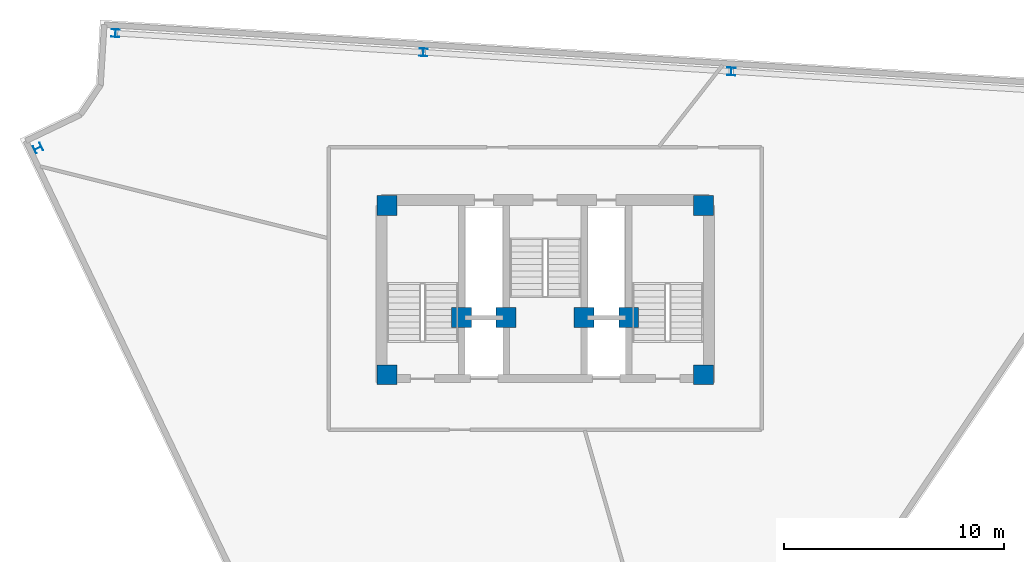
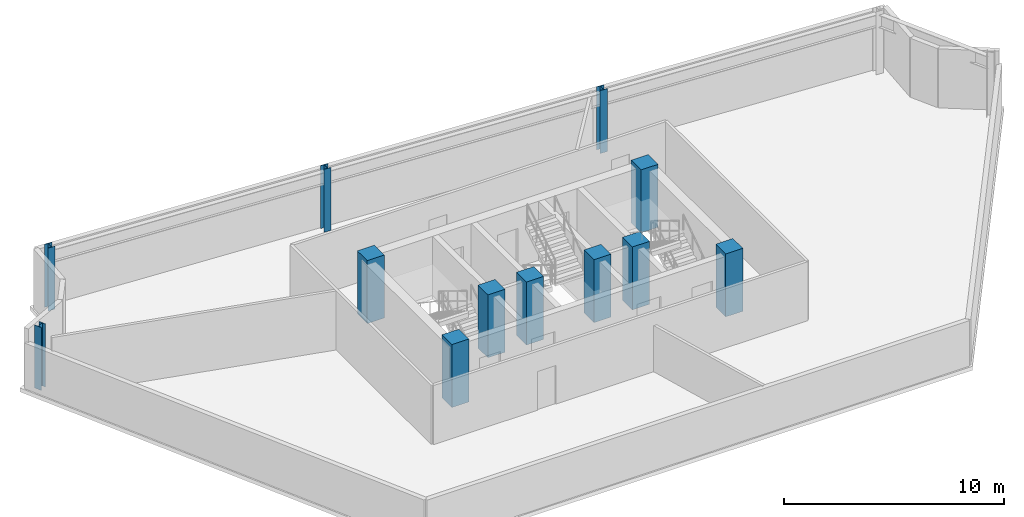
# One storey, part 1 of 5: 12 columns.
"""IFC4 building model written with IfcOpenShell, lengths in metres."""

from ifc_helpers import new_model, si_unit, direction, frame, origin, origin_2d, place, context, subcontext, project, spatial, rectangle, i_section, extrude, material, material_profile, profile_set, type_object, element, save


model = new_model("IFC4")

# Units and contexts
model_context = context("Model", 3, precision=1e-05, world=origin(), true_north=direction((0.0, 1.0)))
body_context = subcontext(model_context, "Body", "Model", "MODEL_VIEW")
ifc_project = project(units=[si_unit("LENGTHUNIT", "METRE"), si_unit("AREAUNIT", "SQUARE_METRE"), si_unit("VOLUMEUNIT", "CUBIC_METRE"), si_unit("PLANEANGLEUNIT", "RADIAN"), si_unit("MASSUNIT", "GRAM", prefix="KILO")], contexts=[model_context])

# Site, building, storey
site_placement = place(None, origin())
site = spatial("IfcSite", under=ifc_project, at=site_placement, CompositionType="ELEMENT")
building_placement = place(site_placement, origin())
building = spatial("IfcBuilding", under=site, at=building_placement, Name="Apsidion Concourse Tower", CompositionType="ELEMENT")
storey_placement = place(building_placement, frame((0.0, 0.0, 343.0)))
storey = spatial("IfcBuildingStorey", under=building, at=storey_placement, Name="L81", CompositionType="ELEMENT", Elevation=343.0)

# Columns
ifc_material_1 = material(Name="Concrete C50/60", Category="concrete")
ifc_material_profile_1 = material_profile(ifc_material_1, rectangle(XDim=0.89990234375, YDim=0.89990234375, at=origin_2d()), Name="RC 900x900")
ifc_profile_set_1 = profile_set([ifc_material_profile_1], Name="Concrete C50/60")
column_type_1 = type_object("IfcColumnType", Name="COL-RC-900", PredefinedType="COLUMN", material=ifc_profile_set_1)
for number, where, z_axis, x_axis, name in (
    (1, (7.199951171875, 1.449951171875, 0.0), (0.0, 0.0, 1.0), (1.0, 0.0, 0.0), "L81 Core Super-Column SC3"),
    (2, (7.199951171875, 9.14990234375, 0.0), (0.0, 0.0, 1.0), (1.0, 0.0, 0.0), "L81 Core Super-Column SC4"),
    (3, (-7.199951171875, 9.14990234375, 0.0), (0.0, 0.0, 1.0), (1.0, 0.0, 0.0), "L81 Core Super-Column SC5"),
    (4, (-7.199951171875, 1.449951171875, 0.0), (0.0, 0.0, 1.0), (1.0, 0.0, 0.0), "L81 Core Super-Column SC6"),
    (5, (-3.800048828125, 4.050048828125, 0.0), (0.0, 0.0, 1.0), (1.0, 0.0, 0.0), "L81 Core Super-Column CC1"),
    (6, (3.800048828125, 4.050048828125, 0.0), (0.0, 0.0, 1.0), (1.0, 0.0, 0.0), "L81 Core Super-Column CC2"),
    (7, (-1.77490234375, 4.050048828125, 0.0), (0.0, 0.0, 1.0), (1.0, 0.0, 0.0), "L81 Core Super-Column CC3"),
    (8, (1.77490234375, 4.050048828125, 0.0), (0.0, 0.0, 1.0), (1.0, 0.0, 0.0), "L81 Core Super-Column CC4"),
):
    element("IfcColumn", number, at=place(storey_placement, frame(where, z_axis=z_axis, x_axis=x_axis)), inside=storey, type_object=column_type_1, Name=name, PredefinedType="COLUMN", context=body_context, shape_type="SweptSolid", body=[
        extrude(rectangle(XDim=0.89990234375, YDim=0.89990234375, at=origin_2d()), origin(), (0.0, 0.0, 1.0), 3.5),
    ])
ifc_material_2 = material(Name="Structural steel ASTM A992 Grade 50", Category="steel")
ifc_material_profile_2 = material_profile(ifc_material_2, i_section(OverallWidth=0.367919921875, OverallDepth=0.35595703125, WebThickness=0.01123046875, FlangeThickness=0.01806640625, at=origin_2d()), Name="W14X90")
ifc_profile_set_2 = profile_set([ifc_material_profile_2], Name="Structural steel ASTM A992 Grade 50")
column_type_2 = type_object("IfcColumnType", Name="COL-W14-90", PredefinedType="COLUMN", material=ifc_profile_set_2)
for number, where, z_axis, x_axis, name in (
    (9, (-23.0732421875, 11.758544921875, 0.0), (0.0, 0.0, 1.0), (-0.431298587031, 0.902209248913, 0.0), "L81 Rotated Perimeter Column PC01"),
    (10, (8.469482421875, 15.24853515625, 0.0), (0.0, 0.0, 1.0), (-0.998081143466, 0.061919553109, 0.0), "L81 Rotated Perimeter Column PC10"),
    (11, (-5.5380859375, 16.118408203125, 0.0), (0.0, 0.0, 1.0), (-0.998081143466, 0.061919553109, 0.0), "L81 Rotated Perimeter Column PC11"),
    (12, (-19.5458984375, 16.98828125, 0.0), (0.0, 0.0, 1.0), (-0.998081143466, 0.061919553109, 0.0), "L81 Rotated Perimeter Column PC12"),
):
    element("IfcColumn", number, at=place(storey_placement, frame(where, z_axis=z_axis, x_axis=x_axis)), inside=storey, type_object=column_type_2, Name=name, PredefinedType="COLUMN", context=body_context, shape_type="SweptSolid", body=[
        extrude(i_section(OverallWidth=0.367919921875, OverallDepth=0.35595703125, WebThickness=0.01123046875, FlangeThickness=0.01806640625, at=origin_2d()), origin(), (0.0, 0.0, 1.0), 3.5),
    ])

save(model, "model.ifc")
